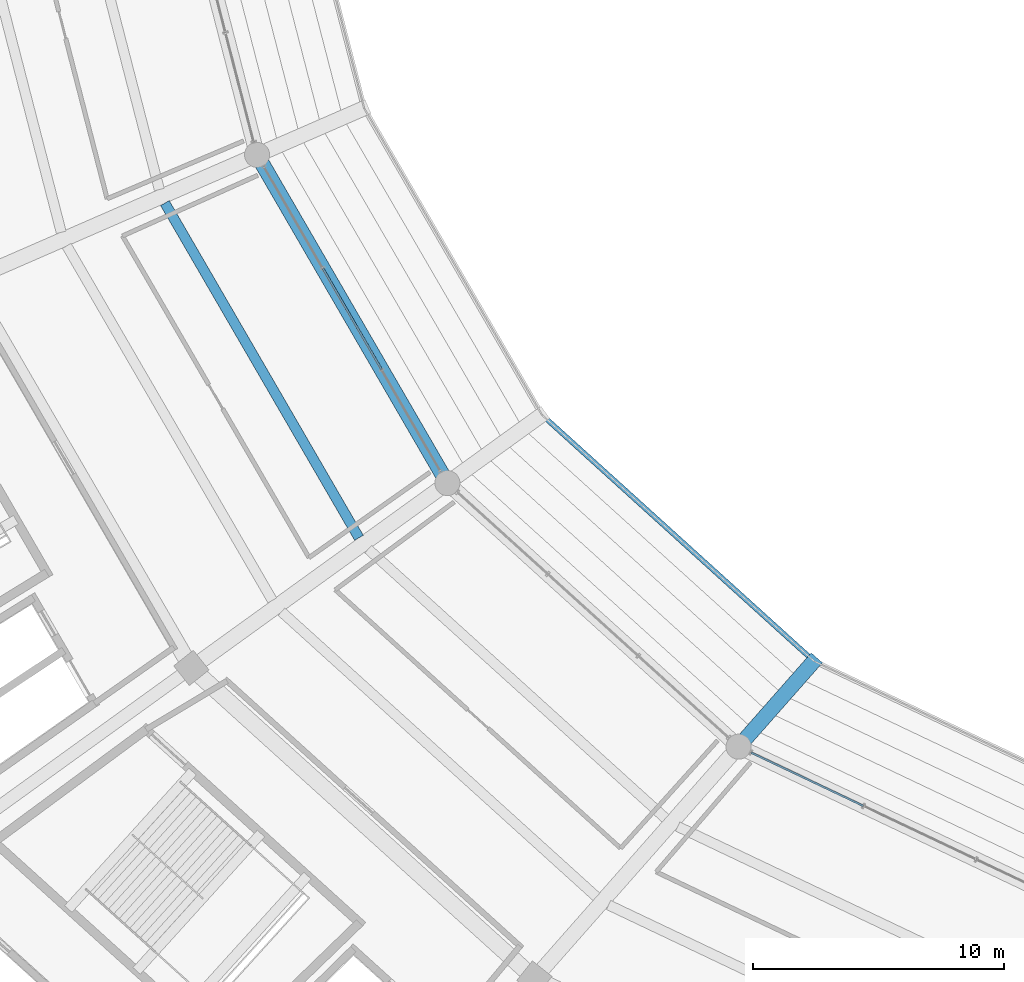
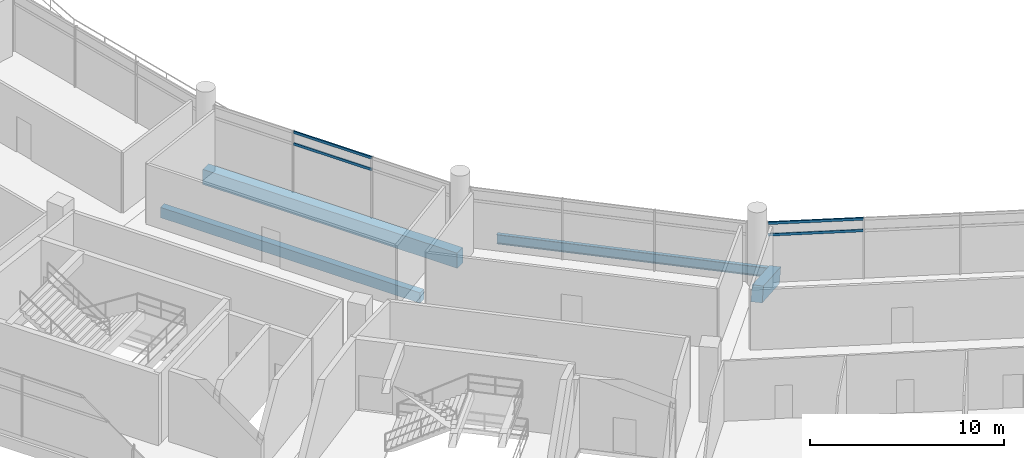
# One storey, part 11 of 171: 4 beams, 4 members, 2 elements without a shape of their own.
"""IFC4 building model written with IfcOpenShell, lengths in metres."""

from ifc_helpers import new_model, si_unit, direction, frame, origin, origin_2d, place, context, subcontext, project, spatial, rectangle, hollow_rectangle, i_section, extrude, material, layer, layer_set, material_profile, profile_set, type_object, element, aggregate, save


model = new_model("IFC4")

# Units and contexts
model_context = context("Model", 3, precision=1e-05, world=origin(), true_north=direction((0.0, 1.0)))
body_context = subcontext(model_context, "Body", "Model", "MODEL_VIEW")
ifc_project = project(units=[si_unit("LENGTHUNIT", "METRE"), si_unit("AREAUNIT", "SQUARE_METRE"), si_unit("VOLUMEUNIT", "CUBIC_METRE"), si_unit("PLANEANGLEUNIT", "RADIAN"), si_unit("MASSUNIT", "GRAM", prefix="KILO")], contexts=[model_context])

# Site, building, storey
site_placement = place(None, origin())
site = spatial("IfcSite", under=ifc_project, at=site_placement, CompositionType="ELEMENT")
building_placement = place(site_placement, origin())
building = spatial("IfcBuilding", under=site, at=building_placement, Name="Kazemori Nagisa Stadium", CompositionType="ELEMENT")
storey_placement = place(building_placement, frame((0.0, 0.0, 15.639892578125)))
storey = spatial("IfcBuildingStorey", under=building, at=storey_placement, Name="L03", CompositionType="ELEMENT", Elevation=15.639892578125)

# Beams
ifc_material_1 = material(Name="Concrete C40/50 (Fc42)", Category="concrete")
ifc_material_profile_1 = material_profile(ifc_material_1, rectangle(XDim=0.60009765625, YDim=0.949951171875, at=origin_2d()), Name="RC-BM-600x950")
ifc_profile_set_1 = profile_set([ifc_material_profile_1], Name="Concrete C40/50 (Fc42)")
beam_type_1 = type_object("IfcBeamType", Name="Beam_BG-RC600X950", PredefinedType="BEAM", material=ifc_profile_set_1)
beam_1_placement = place(storey_placement, frame((58.114013671875, 73.712890625, -0.73486328125), z_axis=(0.501613453924, -0.865091869597, 0.0), x_axis=(0.865091869597, 0.501613453924, 0.0)))
element("IfcBeam", 1, at=beam_1_placement, inside=storey, type_object=beam_type_1, Name="Ring girder BG-RC600X950 L03 R1-17", PredefinedType="BEAM", context=body_context, shape_type="SweptSolid", body=[
    extrude(rectangle(XDim=0.60009765625, YDim=0.949951171875, at=origin_2d()), origin(), (0.0, 0.0, 1.0), 15.1201171875),
])
ifc_material_profile_2 = material_profile(ifc_material_1, rectangle(XDim=0.39990234375, YDim=0.64990234375, at=origin_2d()), Name="RC-BM-400x650")
ifc_profile_set_2 = profile_set([ifc_material_profile_2], Name="Concrete C40/50 (Fc42)")
beam_type_2 = type_object("IfcBeamType", Name="Beam_BJ-RC400X650", PredefinedType="JOIST", material=ifc_profile_set_2)
beam_2_placement = place(storey_placement, frame((54.43994140625, 71.79150390625, -0.5849609375), z_axis=(0.501607199617, -0.865095496054, 0.0), x_axis=(0.865095496054, 0.501607199617, 0.0)))
element("IfcBeam", 2, at=beam_2_placement, inside=storey, type_object=beam_type_2, Name="Concourse joist BJ-RC400X650 L03 B17-1", PredefinedType="JOIST", context=body_context, shape_type="SweptSolid", body=[
    extrude(rectangle(XDim=0.39990234375, YDim=0.64990234375, at=origin_2d()), origin(), (0.0, 0.0, 1.0), 15.420654296875),
])
ifc_material_2 = material(Name="Steel SN490B", Category="steel")
ifc_material_profile_3 = material_profile(ifc_material_2, i_section(OverallWidth=0.199951171875, OverallDepth=0.60009765625, WebThickness=0.010986328125, FlangeThickness=0.01708984375, FilletRadius=0.012939453125, at=origin_2d()), Name="H-600x200x11x17")
ifc_profile_set_3 = profile_set([ifc_material_profile_3], Name="Steel SN490B")
beam_type_3 = type_object("IfcBeamType", Name="Beam_BS-H600", PredefinedType="SPANDREL", material=ifc_profile_set_3)
beam_3_placement = place(storey_placement, frame((69.466064453125, 63.352783203125, -2.46484375), z_axis=(0.74134947659, -0.671119179848, 0.0), x_axis=(0.671119179848, 0.74134947659, 0.0)))
element("IfcBeam", 3, at=beam_3_placement, inside=storey, type_object=beam_type_3, Name="Club tier front edge beam 18", PredefinedType="SPANDREL", context=body_context, shape_type="SweptSolid", body=[
    extrude(i_section(OverallWidth=0.199951171875, OverallDepth=0.60009765625, WebThickness=0.010986328125, FlangeThickness=0.01708984375, FilletRadius=0.012939453125, at=origin_2d()), origin(), (0.0, 0.0, 1.0), 14.624755859375),
])
ifc_material_profile_4 = material_profile(ifc_material_1, rectangle(XDim=0.60009765625, YDim=0.89990234375, at=origin_2d()), Name="RC-RK-600x900")
ifc_profile_set_4 = profile_set([ifc_material_profile_4], Name="Concrete C40/50 (Fc42)")
beam_type_4 = type_object("IfcBeamType", Name="Beam_RK-RC600X900", PredefinedType="USERDEFINED", material=ifc_profile_set_4)
beam_4_placement = place(storey_placement, frame((80.30810546875, 53.537841796875, -2.58984375), z_axis=(-0.609877562505, -0.692337647336, 0.385639651533), x_axis=(0.750379926375, -0.661006782184, 0.0)))
element("IfcBeam", 4, at=beam_4_placement, inside=storey, type_object=beam_type_4, Name="Raker beam club RK2-19", ObjectType="RAKER BEAM", PredefinedType="USERDEFINED", context=body_context, shape_type="SweptSolid", body=[
    extrude(rectangle(XDim=0.60009765625, YDim=0.89990234375, at=origin_2d()), origin(), (0.0, 0.0, 1.0), 4.926513671875),
])

# Curtain wall, members
ifc_material_3 = material(Name="Anodised aluminium 6063-T5", Category="aluminium")
ifc_layer_1 = layer(ifc_material_3, 0.2099609375, Name="Anodised aluminium 6063-T5", Category="aluminium")
ifc_layer_set_1 = layer_set([ifc_layer_1], Name="Anodised aluminium 6063-T5")
curtain_wall_type_1 = type_object("IfcCurtainWallType", Name="CW_L03B_71", PredefinedType="USERDEFINED", material=ifc_layer_set_1)
curtain_wall_1_placement = place(storey_placement, origin())
curtain_wall_1 = element("IfcCurtainWall", 5, at=curtain_wall_1_placement, inside=storey, type_object=curtain_wall_type_1, Name="Unitised curtain wall CW-L03B-71 L03", ObjectType="UNITISED CURTAIN WALL", PredefinedType="USERDEFINED")
ifc_material_4 = material(Name="Aluminium 6063-T5 anodised", Category="aluminium")
ifc_material_profile_5 = material_profile(ifc_material_4, hollow_rectangle(XDim=0.080078125, YDim=0.159912109375, WallThickness=0.00390625, at=origin_2d()), Name="ALU-TRAN-80x160x4")
ifc_profile_set_5 = profile_set([ifc_material_profile_5], Name="Aluminium 6063-T5 anodised")
member_type = type_object("IfcMemberType", Name="Transom_T02", PredefinedType="USERDEFINED", material=ifc_profile_set_5)
member_1_placement = place(storey_placement, frame((60.74169921875, 69.18115234375, 3.010009765625), z_axis=(0.501610282552, -0.865093708472, 0.0), x_axis=(0.865093708472, 0.501610282552, 0.0)))
member_1 = element("IfcMember", 6, at=member_1_placement, type_object=member_type, Name="Curtain wall transom CW-L03B-71-T2-mid", ObjectType="TRANSOM", PredefinedType="USERDEFINED", context=body_context, shape_type="SweptSolid", body=[
    extrude(hollow_rectangle(XDim=0.080078125, YDim=0.159912109375, WallThickness=0.00390625, at=origin_2d()), origin(), (0.0, 0.0, 1.0), 4.643310546875),
])
member_2_placement = place(storey_placement, frame((60.74169921875, 69.18115234375, 3.739990234375), z_axis=(0.501610282552, -0.865093708472, 0.0), x_axis=(0.865093708472, 0.501610282552, 0.0)))
member_2 = element("IfcMember", 7, at=member_2_placement, type_object=member_type, Name="Curtain wall transom CW-L03B-71-T2-head", ObjectType="TRANSOM", PredefinedType="USERDEFINED", context=body_context, shape_type="SweptSolid", body=[
    extrude(hollow_rectangle(XDim=0.080078125, YDim=0.159912109375, WallThickness=0.00390625, at=origin_2d()), origin(), (0.0, 0.0, 1.0), 4.643310546875),
])
aggregate(curtain_wall_1, [member_1, member_2])

ifc_layer_2 = layer(ifc_material_3, 0.2099609375, Name="Anodised aluminium 6063-T5", Category="aluminium")
ifc_layer_set_2 = layer_set([ifc_layer_2], Name="Anodised aluminium 6063-T5")
curtain_wall_type_2 = type_object("IfcCurtainWallType", Name="CW_L03B_75", PredefinedType="USERDEFINED", material=ifc_layer_set_2)
curtain_wall_2_placement = place(storey_placement, origin())
curtain_wall_2 = element("IfcCurtainWall", 8, at=curtain_wall_2_placement, inside=storey, type_object=curtain_wall_type_2, Name="Unitised curtain wall CW-L03B-75 L03", ObjectType="UNITISED CURTAIN WALL", PredefinedType="USERDEFINED")
member_3_placement = place(storey_placement, frame((77.8046875, 49.888671875, 3.010009765625), z_axis=(0.903219509173, -0.429178888401, 0.0), x_axis=(0.429178888401, 0.903219509173, 0.0)))
member_3 = element("IfcMember", 9, at=member_3_placement, type_object=member_type, Name="Curtain wall transom CW-L03B-75-T1-mid", ObjectType="TRANSOM", PredefinedType="USERDEFINED", context=body_context, shape_type="SweptSolid", body=[
    extrude(hollow_rectangle(XDim=0.080078125, YDim=0.159912109375, WallThickness=0.00390625, at=origin_2d()), origin(), (0.0, 0.0, 1.0), 4.93603515625),
])
member_4_placement = place(storey_placement, frame((77.8046875, 49.888671875, 3.739990234375), z_axis=(0.903219509173, -0.429178888401, 0.0), x_axis=(0.429178888401, 0.903219509173, 0.0)))
member_4 = element("IfcMember", 10, at=member_4_placement, type_object=member_type, Name="Curtain wall transom CW-L03B-75-T1-head", ObjectType="TRANSOM", PredefinedType="USERDEFINED", context=body_context, shape_type="SweptSolid", body=[
    extrude(hollow_rectangle(XDim=0.080078125, YDim=0.159912109375, WallThickness=0.00390625, at=origin_2d()), origin(), (0.0, 0.0, 1.0), 4.93603515625),
])
aggregate(curtain_wall_2, [member_3, member_4])

save(model, "model.ifc")
